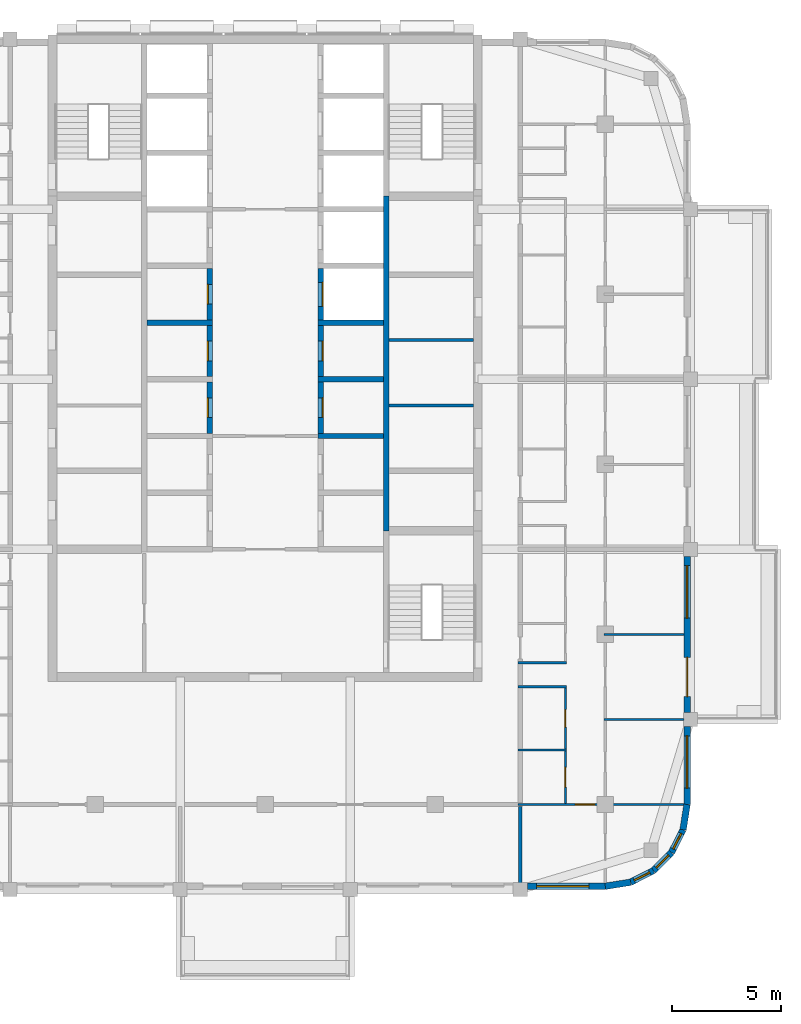
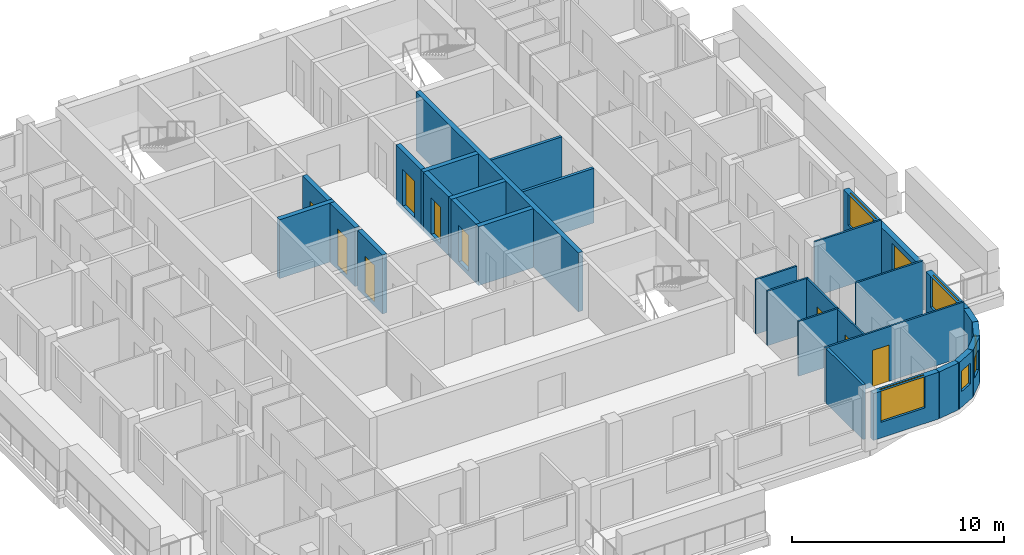
# One storey, part 5 of 13: 29 walls, 10 doors, 6 windows, 16 openings.
"""IFC4 building model written with IfcOpenShell, lengths in metres."""

from ifc_helpers import new_model, si_unit, direction, frame, frame_2d, origin, place, context, subcontext, project, spatial, rectangle, extrude, material, layer, layer_set, type_object, element, fill, save


model = new_model("IFC4")

# Units and contexts
model_context = context("Model", 3, precision=1e-05, world=origin(), true_north=direction((0.0, 1.0)))
body_context = subcontext(model_context, "Body", "Model", "MODEL_VIEW")
ifc_project = project(units=[si_unit("LENGTHUNIT", "METRE"), si_unit("AREAUNIT", "SQUARE_METRE"), si_unit("VOLUMEUNIT", "CUBIC_METRE"), si_unit("PLANEANGLEUNIT", "RADIAN"), si_unit("MASSUNIT", "GRAM", prefix="KILO")], contexts=[model_context])

# Site, building, storey
site_placement = place(None, origin())
site = spatial("IfcSite", under=ifc_project, at=site_placement, CompositionType="ELEMENT")
building_placement = place(site_placement, origin())
building = spatial("IfcBuilding", under=site, at=building_placement, Name="Ludao Terraces", CompositionType="ELEMENT")
storey_placement = place(building_placement, frame((0.0, 0.0, 252.800048828125)))
storey = spatial("IfcBuildingStorey", under=building, at=storey_placement, Name="L69", CompositionType="ELEMENT", Elevation=252.800048828125)

# Wall, opening, window
ifc_material_1 = material(Name="Granite cladding", Category="masonry")
ifc_layer_1 = layer(ifc_material_1, 0.0400390625, Category="stone")
ifc_material_2 = material(Name="Mineral wool")
ifc_layer_2 = layer(ifc_material_2, 0.06005859375)
ifc_material_3 = material(Name="Concrete C40", Category="concrete")
ifc_layer_3 = layer(ifc_material_3, 0.199951171875, Category="concrete")
ifc_layer_set_1 = layer_set([ifc_layer_1, ifc_layer_2, ifc_layer_3], Name="ENV Stone-clad wall 300")
wall_type_1 = type_object("IfcWallType", Name="ENV Stone-clad wall 300", PredefinedType="SOLIDWALL", material=ifc_layer_set_1)
wall_1_placement = place(storey_placement, frame((97.02490234375, 45.64990234375, 0.0), z_axis=(0.0, 0.0, 1.0), x_axis=(1.0, 0.0, 0.0)))
wall_1 = element("IfcWall", 1, at=wall_1_placement, inside=storey, type_object=wall_type_1, Name="EW-L69-S5", PredefinedType="SOLIDWALL", context=body_context, shape_type="SweptSolid", body=[
    extrude(rectangle(XDim=3.5751953125, YDim=0.300048828125, at=frame_2d((1.78759765625, 0.0))), origin(), (0.0, 0.0, 1.0), 2.699951171875),
])
opening_1_placement = place(wall_1_placement, frame((0.425048828125, 0.0, 0.89990234375)))
opening_1 = element("IfcOpeningElement", 2, at=opening_1_placement, cuts=wall_1, Name="Opening W1", PredefinedType="OPENING", context=body_context, shape_type="SweptSolid", body=[
    extrude(rectangle(XDim=2.39990234375, YDim=1.800048828125, at=frame_2d((1.199951171875, 0.89990234375))), frame((0.0, 0.16015625, 0.0), z_axis=(0.0, -1.0, 0.0), x_axis=(1.0, 0.0, 0.0)), (0.0, 0.0, 1.0), 0.320068359375),
])
ifc_material_4 = material(Name="Clear glass in aluminium frame", Category="aluminium")
ifc_layer_4 = layer(ifc_material_4, 0.06005859375)
ifc_layer_set_2 = layer_set([ifc_layer_4], Name="ENV Window W1 2400x1800")
window_type_1 = type_object("IfcWindowType", Name="ENV Window W1 2400x1800", PartitioningType="DOUBLE_PANEL_VERTICAL", PredefinedType="WINDOW", material=ifc_layer_set_2)
window_1_placement = place(opening_1_placement, origin())
window_1 = element("IfcWindow", 3, at=window_1_placement, inside=storey, type_object=window_type_1, Name="W-L69-S5-1", OverallHeight=1.800048828125, OverallWidth=2.39990234375, PartitioningType="DOUBLE_PANEL_VERTICAL", PredefinedType="WINDOW", context=body_context, shape_type="SweptSolid", body=[
    extrude(rectangle(XDim=2.39990234375, YDim=1.800048828125, at=frame_2d((1.199951171875, 0.89990234375))), frame((0.0, 0.030029296875, 0.0), z_axis=(0.0, -1.0, 0.0), x_axis=(1.0, 0.0, 0.0)), (0.0, 0.0, 1.0), 0.06005859375),
])
fill(opening_1, window_1)

wall_2_placement = place(storey_placement, frame((104.35009765625, 49.39990234375, 0.0), z_axis=(0.0, 0.0, 1.0), x_axis=(0.0, 1.0, 0.0)))
wall_2 = element("IfcWall", 4, at=wall_2_placement, inside=storey, type_object=wall_type_1, Name="EW-L69-E1", PredefinedType="SOLIDWALL", context=body_context, shape_type="SweptSolid", body=[
    extrude(rectangle(XDim=3.5751953125, YDim=0.300048828125, at=frame_2d((1.78759765625, 0.0))), origin(), (0.0, 0.0, 1.0), 2.699951171875),
])
opening_2_placement = place(wall_2_placement, frame((0.75, 0.0, 0.89990234375)))
opening_2 = element("IfcOpeningElement", 5, at=opening_2_placement, cuts=wall_2, Name="Opening W1", PredefinedType="OPENING", context=body_context, shape_type="SweptSolid", body=[
    extrude(rectangle(XDim=2.39990234375, YDim=1.800048828125, at=frame_2d((1.199951171875, 0.89990234375))), frame((0.0, 0.16015625, 0.0), z_axis=(0.0, -1.0, 0.0), x_axis=(1.0, 0.0, 0.0)), (0.0, 0.0, 1.0), 0.320068359375),
])
window_2_placement = place(opening_2_placement, origin())
window_2 = element("IfcWindow", 6, at=window_2_placement, inside=storey, type_object=window_type_1, Name="W-L69-E1-1", OverallHeight=1.800048828125, OverallWidth=2.39990234375, PartitioningType="DOUBLE_PANEL_VERTICAL", PredefinedType="WINDOW", context=body_context, shape_type="SweptSolid", body=[
    extrude(rectangle(XDim=2.39990234375, YDim=1.800048828125, at=frame_2d((1.199951171875, 0.89990234375))), frame((0.0, 0.030029296875, 0.0), z_axis=(0.0, -1.0, 0.0), x_axis=(1.0, 0.0, 0.0)), (0.0, 0.0, 1.0), 0.06005859375),
])
fill(opening_2, window_2)

# Wall, openings, door, window
wall_3_placement = place(storey_placement, frame((104.35009765625, 53.625, 0.0), z_axis=(0.0, 0.0, 1.0), x_axis=(0.0, 1.0, 0.0)))
wall_3 = element("IfcWall", 7, at=wall_3_placement, inside=storey, type_object=wall_type_1, Name="EW-L69-E2", PredefinedType="SOLIDWALL", context=body_context, shape_type="SweptSolid", body=[
    extrude(rectangle(XDim=7.14990234375, YDim=0.300048828125, at=frame_2d((3.574951171875, 0.0))), origin(), (0.0, 0.0, 1.0), 2.699951171875),
])
opening_3_placement = place(wall_3_placement, frame((0.72509765625, 0.0, 0.0)))
opening_3 = element("IfcOpeningElement", 8, at=opening_3_placement, cuts=wall_3, Name="Opening BD", PredefinedType="OPENING", context=body_context, shape_type="SweptSolid", body=[
    extrude(rectangle(XDim=1.800048828125, YDim=2.39990234375, at=frame_2d((0.89990234375, 1.199951171875))), frame((0.0, 0.16015625, 0.0), z_axis=(0.0, -1.0, 0.0), x_axis=(1.0, 0.0, 0.0)), (0.0, 0.0, 1.0), 0.320068359375),
])
opening_4_placement = place(wall_3_placement, frame((4.324951171875, 0.0, 0.89990234375)))
opening_4 = element("IfcOpeningElement", 9, at=opening_4_placement, cuts=wall_3, Name="Opening W1", PredefinedType="OPENING", context=body_context, shape_type="SweptSolid", body=[
    extrude(rectangle(XDim=2.39990234375, YDim=1.800048828125, at=frame_2d((1.199951171875, 0.89990234375))), frame((0.0, 0.16015625, 0.0), z_axis=(0.0, -1.0, 0.0), x_axis=(1.0, 0.0, 0.0)), (0.0, 0.0, 1.0), 0.320068359375),
])
ifc_material_5 = material(Name="Aluminium glazed door", Category="aluminium")
ifc_layer_5 = layer(ifc_material_5, 0.06005859375)
ifc_layer_set_3 = layer_set([ifc_layer_5], Name="ENV Balcony door BD 1800x2400")
door_type_1 = type_object("IfcDoorType", Name="ENV Balcony door BD 1800x2400", OperationType="DOUBLE_DOOR_SINGLE_SWING", PredefinedType="DOOR", material=ifc_layer_set_3)
door_1_placement = place(opening_3_placement, origin())
door_1 = element("IfcDoor", 10, at=door_1_placement, inside=storey, type_object=door_type_1, Name="BD-L69-E2-1", OperationType="DOUBLE_DOOR_SINGLE_SWING", OverallHeight=2.39990234375, OverallWidth=1.800048828125, PredefinedType="DOOR", context=body_context, shape_type="SweptSolid", body=[
    extrude(rectangle(XDim=1.800048828125, YDim=2.39990234375, at=frame_2d((0.89990234375, 1.199951171875))), frame((0.0, 0.02490234375, 0.0), z_axis=(0.0, -1.0, 0.0), x_axis=(1.0, 0.0, 0.0)), (0.0, 0.0, 1.0), 0.050048828125),
])
fill(opening_3, door_1)
window_3_placement = place(opening_4_placement, origin())
window_3 = element("IfcWindow", 11, at=window_3_placement, inside=storey, type_object=window_type_1, Name="W-L69-E2-2", OverallHeight=1.800048828125, OverallWidth=2.39990234375, PartitioningType="DOUBLE_PANEL_VERTICAL", PredefinedType="WINDOW", context=body_context, shape_type="SweptSolid", body=[
    extrude(rectangle(XDim=2.39990234375, YDim=1.800048828125, at=frame_2d((1.199951171875, 0.89990234375))), frame((0.0, 0.030029296875, 0.0), z_axis=(0.0, -1.0, 0.0), x_axis=(1.0, 0.0, 0.0)), (0.0, 0.0, 1.0), 0.06005859375),
])
fill(opening_4, window_3)

# Wall
wall_4_placement = place(storey_placement, frame((100.60009765625, 45.64990234375, 0.0), z_axis=(0.0, 0.0, 1.0), x_axis=(0.987678452879, 0.156496880861, 0.0)))
element("IfcWall", 12, at=wall_4_placement, inside=storey, type_object=wall_type_1, Name="EW-L69-SE1", PredefinedType="SOLIDWALL", context=body_context, shape_type="SweptSolid", body=[
    extrude(rectangle(XDim=1.173095703125, YDim=0.300048828125, at=frame_2d((0.58642578125, 0.0))), origin(), (0.0, 0.0, 1.0), 2.699951171875),
])

# Wall, opening, window
wall_5_placement = place(storey_placement, frame((101.7587890625, 45.83349609375, 0.0), z_axis=(0.0, 0.0, 1.0), x_axis=(0.890988677504, 0.454025524128, 0.0)))
wall_5 = element("IfcWall", 13, at=wall_5_placement, inside=storey, type_object=wall_type_1, Name="EW-L69-SE2", PredefinedType="SOLIDWALL", context=body_context, shape_type="SweptSolid", body=[
    extrude(rectangle(XDim=1.17333984375, YDim=0.300048828125, at=frame_2d((0.586669921875, 0.0))), origin(), (0.0, 0.0, 1.0), 2.699951171875),
])
opening_5_placement = place(wall_5_placement, frame((0.1865234375, 0.0, 0.89990234375)))
opening_5 = element("IfcOpeningElement", 14, at=opening_5_placement, cuts=wall_5, Name="Opening W3", PredefinedType="OPENING", context=body_context, shape_type="SweptSolid", body=[
    extrude(rectangle(XDim=0.800048828125, YDim=1.199951171875, at=frame_2d((0.39990234375, 0.60009765625))), frame((0.0, 0.16015625, 0.0), z_axis=(0.0, -1.0, 0.0), x_axis=(1.0, 0.0, 0.0)), (0.0, 0.0, 1.0), 0.320068359375),
])
ifc_layer_6 = layer(ifc_material_4, 0.06005859375)
ifc_layer_set_4 = layer_set([ifc_layer_6], Name="ENV Window W3 800x1200")
window_type_2 = type_object("IfcWindowType", Name="ENV Window W3 800x1200", PartitioningType="SINGLE_PANEL", PredefinedType="WINDOW", material=ifc_layer_set_4)
window_4_placement = place(opening_5_placement, origin())
window_4 = element("IfcWindow", 15, at=window_4_placement, inside=storey, type_object=window_type_2, Name="W-L69-SE2", OverallHeight=1.199951171875, OverallWidth=0.800048828125, PartitioningType="SINGLE_PANEL", PredefinedType="WINDOW", context=body_context, shape_type="SweptSolid", body=[
    extrude(rectangle(XDim=0.800048828125, YDim=1.199951171875, at=frame_2d((0.39990234375, 0.60009765625))), frame((0.0, 0.030029296875, 0.0), z_axis=(0.0, -1.0, 0.0), x_axis=(1.0, 0.0, 0.0)), (0.0, 0.0, 1.0), 0.06005859375),
])
fill(opening_5, window_4)

wall_6_placement = place(storey_placement, frame((102.80419921875, 46.3662109375, 0.0), z_axis=(0.0, 0.0, 1.0), x_axis=(0.707106781187, 0.707106781187, 0.0)))
wall_6 = element("IfcWall", 16, at=wall_6_placement, inside=storey, type_object=wall_type_1, Name="EW-L69-SE3", PredefinedType="SOLIDWALL", context=body_context, shape_type="SweptSolid", body=[
    extrude(rectangle(XDim=1.173095703125, YDim=0.300048828125, at=frame_2d((0.58642578125, 0.0))), origin(), (0.0, 0.0, 1.0), 2.699951171875),
])
opening_6_placement = place(wall_6_placement, frame((0.1865234375, 0.0, 0.89990234375)))
opening_6 = element("IfcOpeningElement", 17, at=opening_6_placement, cuts=wall_6, Name="Opening W3", PredefinedType="OPENING", context=body_context, shape_type="SweptSolid", body=[
    extrude(rectangle(XDim=0.800048828125, YDim=1.199951171875, at=frame_2d((0.39990234375, 0.60009765625))), frame((0.0, 0.16015625, 0.0), z_axis=(0.0, -1.0, 0.0), x_axis=(1.0, 0.0, 0.0)), (0.0, 0.0, 1.0), 0.320068359375),
])
window_5_placement = place(opening_6_placement, origin())
window_5 = element("IfcWindow", 18, at=window_5_placement, inside=storey, type_object=window_type_2, Name="W-L69-SE3", OverallHeight=1.199951171875, OverallWidth=0.800048828125, PartitioningType="SINGLE_PANEL", PredefinedType="WINDOW", context=body_context, shape_type="SweptSolid", body=[
    extrude(rectangle(XDim=0.800048828125, YDim=1.199951171875, at=frame_2d((0.39990234375, 0.60009765625))), frame((0.0, 0.030029296875, 0.0), z_axis=(0.0, -1.0, 0.0), x_axis=(1.0, 0.0, 0.0)), (0.0, 0.0, 1.0), 0.06005859375),
])
fill(opening_6, window_5)

wall_7_placement = place(storey_placement, frame((103.6337890625, 47.19580078125, 0.0), z_axis=(0.0, 0.0, 1.0), x_axis=(0.454025524128, 0.890988677504, 0.0)))
wall_7 = element("IfcWall", 19, at=wall_7_placement, inside=storey, type_object=wall_type_1, Name="EW-L69-SE4", PredefinedType="SOLIDWALL", context=body_context, shape_type="SweptSolid", body=[
    extrude(rectangle(XDim=1.17333984375, YDim=0.300048828125, at=frame_2d((0.586669921875, 0.0))), origin(), (0.0, 0.0, 1.0), 2.699951171875),
])
opening_7_placement = place(wall_7_placement, frame((0.1865234375, 0.0, 0.89990234375)))
opening_7 = element("IfcOpeningElement", 20, at=opening_7_placement, cuts=wall_7, Name="Opening W3", PredefinedType="OPENING", context=body_context, shape_type="SweptSolid", body=[
    extrude(rectangle(XDim=0.800048828125, YDim=1.199951171875, at=frame_2d((0.39990234375, 0.60009765625))), frame((0.0, 0.16015625, 0.0), z_axis=(0.0, -1.0, 0.0), x_axis=(1.0, 0.0, 0.0)), (0.0, 0.0, 1.0), 0.320068359375),
])
window_6_placement = place(opening_7_placement, origin())
window_6 = element("IfcWindow", 21, at=window_6_placement, inside=storey, type_object=window_type_2, Name="W-L69-SE4", OverallHeight=1.199951171875, OverallWidth=0.800048828125, PartitioningType="SINGLE_PANEL", PredefinedType="WINDOW", context=body_context, shape_type="SweptSolid", body=[
    extrude(rectangle(XDim=0.800048828125, YDim=1.199951171875, at=frame_2d((0.39990234375, 0.60009765625))), frame((0.0, 0.030029296875, 0.0), z_axis=(0.0, -1.0, 0.0), x_axis=(1.0, 0.0, 0.0)), (0.0, 0.0, 1.0), 0.06005859375),
])
fill(opening_7, window_6)

# Walls
wall_8_placement = place(storey_placement, frame((104.16650390625, 48.2412109375, 0.0), z_axis=(0.0, 0.0, 1.0), x_axis=(0.156496880861, 0.987678452879, 0.0)))
element("IfcWall", 22, at=wall_8_placement, inside=storey, type_object=wall_type_1, Name="EW-L69-SE5", PredefinedType="SOLIDWALL", context=body_context, shape_type="SweptSolid", body=[
    extrude(rectangle(XDim=1.173095703125, YDim=0.300048828125, at=frame_2d((0.58642578125, 0.0))), origin(), (0.0, 0.0, 1.0), 2.699951171875),
])
ifc_material_6 = material(Name="Fire-rated gypsum plasterboard", Category="gypsum")
ifc_layer_7 = layer(ifc_material_6, 0.012451171875, Category="gypsum")
ifc_layer_8 = layer(ifc_material_2, 0.10009765625, Name="insulation")
ifc_material_7 = material(Name="Steel Q235", Category="steel")
ifc_layer_9 = layer(ifc_material_7, 0.02490234375, Name="stud")
ifc_layer_10 = layer(ifc_material_6, 0.012451171875, Category="gypsum")
ifc_layer_set_5 = layer_set([ifc_layer_7, ifc_layer_8, ifc_layer_9, ifc_layer_10], Name="INT Core partition 150")
wall_type_2 = type_object("IfcWallType", Name="INT Core partition 150", PredefinedType="PARTITIONING", material=ifc_layer_set_5)
for number, where, z_axis, x_axis, name in (
    (23, (90.675048828125, 67.699951171875, 0.0), (0.0, 0.0, 1.0), (1.0, 0.0, 0.0), "PW-L69-PW028"),
    (24, (90.675048828125, 70.699951171875, 0.0), (0.0, 0.0, 1.0), (1.0, 0.0, 0.0), "PW-L69-PW032"),
):
    element("IfcWall", number, at=place(storey_placement, frame(where, z_axis=z_axis, x_axis=x_axis)), inside=storey, type_object=wall_type_2, Name=name, PredefinedType="PARTITIONING", context=body_context, shape_type="SweptSolid", body=[
        extrude(rectangle(XDim=3.875, YDim=0.14990234375, at=frame_2d((1.9375, 0.0))), origin(), (0.0, 0.0, 1.0), 3.14990234375),
    ])

# Wall, opening, door
ifc_material_8 = material(Name="Gypsum plasterboard", Category="gypsum")
ifc_layer_11 = layer(ifc_material_8, 0.012451171875, Category="gypsum")
ifc_layer_12 = layer(ifc_material_2, 0.06005859375, Name="insulation")
ifc_layer_13 = layer(ifc_material_7, 0.014892578125, Name="stud")
ifc_layer_14 = layer(ifc_material_8, 0.012451171875, Category="gypsum")
ifc_layer_set_6 = layer_set([ifc_layer_11, ifc_layer_12, ifc_layer_13, ifc_layer_14], Name="INT Partition 100")
wall_type_3 = type_object("IfcWallType", Name="INT Partition 100", PredefinedType="PARTITIONING", material=ifc_layer_set_6)
wall_9_placement = place(storey_placement, frame((96.60009765625, 49.39990234375, 0.0), z_axis=(0.0, 0.0, 1.0), x_axis=(1.0, 0.0, 0.0)))
wall_9 = element("IfcWall", 25, at=wall_9_placement, inside=storey, type_object=wall_type_3, Name="PW-L69-PW002", PredefinedType="PARTITIONING", context=body_context, shape_type="SweptSolid", body=[
    extrude(rectangle(XDim=7.60009765625, YDim=0.10009765625, at=frame_2d((3.800048828125, 0.0))), origin(), (0.0, 0.0, 1.0), 3.14990234375),
])
opening_8_placement = place(wall_9_placement, frame((2.610107421875, 0.0, 0.0)))
opening_8 = element("IfcOpeningElement", 26, at=opening_8_placement, cuts=wall_9, Name="Opening R25-006", PredefinedType="OPENING", context=body_context, shape_type="SweptSolid", body=[
    extrude(rectangle(XDim=0.89990234375, YDim=2.10009765625, at=frame_2d((0.449951171875, 1.050048828125))), frame((0.0, 0.06005859375, 0.0), z_axis=(0.0, -1.0, 0.0), x_axis=(1.0, 0.0, 0.0)), (0.0, 0.0, 1.0), 0.1201171875),
])
ifc_material_9 = material(Name="Timber door leaf", Category="wood")
door_type_2 = type_object("IfcDoorType", Name="INT Room door 900", OperationType="SINGLE_SWING_LEFT", PredefinedType="DOOR", material=ifc_material_9)
door_2_placement = place(opening_8_placement, origin())
door_2 = element("IfcDoor", 27, at=door_2_placement, inside=storey, type_object=door_type_2, Name="DOOR 006", OperationType="SINGLE_SWING_LEFT", OverallHeight=2.10009765625, OverallWidth=0.89990234375, PredefinedType="DOOR", context=body_context, shape_type="SweptSolid", body=[
    extrude(rectangle(XDim=0.89990234375, YDim=2.10009765625, at=frame_2d((0.449951171875, 1.050048828125))), frame((0.0, 0.02490234375, 0.0), z_axis=(0.0, -1.0, 0.0), x_axis=(1.0, 0.0, 0.0)), (0.0, 0.0, 1.0), 0.050048828125),
])
fill(opening_8, door_2)

# Walls
wall_10_placement = place(storey_placement, frame((96.60009765625, 51.89990234375, 0.0), z_axis=(0.0, 0.0, 1.0), x_axis=(1.0, 0.0, 0.0)))
element("IfcWall", 28, at=wall_10_placement, inside=storey, type_object=wall_type_3, Name="PW-L69-PW004", PredefinedType="PARTITIONING", context=body_context, shape_type="SweptSolid", body=[
    extrude(rectangle(XDim=2.219970703125, YDim=0.10009765625, at=frame_2d((1.10986328125, 0.0))), origin(), (0.0, 0.0, 1.0), 3.14990234375),
])
wall_11_placement = place(storey_placement, frame((100.550048828125, 53.300048828125, 0.0), z_axis=(0.0, 0.0, 1.0), x_axis=(1.0, 0.0, 0.0)))
element("IfcWall", 29, at=wall_11_placement, inside=storey, type_object=wall_type_3, Name="PW-L69-PW006", PredefinedType="PARTITIONING", context=body_context, shape_type="SweptSolid", body=[
    extrude(rectangle(XDim=3.650146484375, YDim=0.10009765625, at=frame_2d((1.8251953125, 0.0))), origin(), (0.0, 0.0, 1.0), 3.14990234375),
])
for number, where, z_axis, x_axis, name in (
    (30, (96.60009765625, 54.800048828125, 0.0), (0.0, 0.0, 1.0), (1.0, 0.0, 0.0), "PW-L69-PW008"),
    (31, (96.60009765625, 55.89990234375, 0.0), (0.0, 0.0, 1.0), (1.0, 0.0, 0.0), "PW-L69-PW009"),
):
    element("IfcWall", number, at=place(storey_placement, frame(where, z_axis=z_axis, x_axis=x_axis)), inside=storey, type_object=wall_type_3, Name=name, PredefinedType="PARTITIONING", context=body_context, shape_type="SweptSolid", body=[
        extrude(rectangle(XDim=2.219970703125, YDim=0.10009765625, at=frame_2d((1.10986328125, 0.0))), origin(), (0.0, 0.0, 1.0), 3.14990234375),
    ])
wall_12_placement = place(storey_placement, frame((100.550048828125, 57.199951171875, 0.0), z_axis=(0.0, 0.0, 1.0), x_axis=(1.0, 0.0, 0.0)))
element("IfcWall", 32, at=wall_12_placement, inside=storey, type_object=wall_type_3, Name="PW-L69-PW012", PredefinedType="PARTITIONING", context=body_context, shape_type="SweptSolid", body=[
    extrude(rectangle(XDim=3.650146484375, YDim=0.10009765625, at=frame_2d((1.8251953125, 0.0))), origin(), (0.0, 0.0, 1.0), 3.14990234375),
])

# Wall, openings, doors
wall_13_placement = place(storey_placement, frame((98.77001953125, 49.4501953125, 0.0), z_axis=(0.0, 0.0, 1.0), x_axis=(0.0, 1.0, 0.0)))
wall_13 = element("IfcWall", 33, at=wall_13_placement, inside=storey, type_object=wall_type_3, Name="PW-L69-PW061", PredefinedType="PARTITIONING", context=body_context, shape_type="SweptSolid", body=[
    extrude(rectangle(XDim=5.2998046875, YDim=0.10009765625, at=frame_2d((2.64990234375, 0.0))), origin(), (0.0, 0.0, 1.0), 3.14990234375),
])
opening_9_placement = place(wall_13_placement, frame((0.75, 0.0, 0.0)))
opening_9 = element("IfcOpeningElement", 34, at=opening_9_placement, cuts=wall_13, Name="Opening R25-008", PredefinedType="OPENING", context=body_context, shape_type="SweptSolid", body=[
    extrude(rectangle(XDim=0.89990234375, YDim=2.10009765625, at=frame_2d((0.449951171875, 1.050048828125))), frame((0.0, 0.06005859375, 0.0), z_axis=(0.0, -1.0, 0.0), x_axis=(1.0, 0.0, 0.0)), (0.0, 0.0, 1.0), 0.1201171875),
])
opening_10_placement = place(wall_13_placement, frame((3.5, 0.0, 0.0)))
opening_10 = element("IfcOpeningElement", 35, at=opening_10_placement, cuts=wall_13, Name="Opening R25-012", PredefinedType="OPENING", context=body_context, shape_type="SweptSolid", body=[
    extrude(rectangle(XDim=0.800048828125, YDim=2.10009765625, at=frame_2d((0.39990234375, 1.050048828125))), frame((0.0, 0.06005859375, 0.0), z_axis=(0.0, -1.0, 0.0), x_axis=(1.0, 0.0, 0.0)), (0.0, 0.0, 1.0), 0.1201171875),
])
door_type_3 = type_object("IfcDoorType", Name="INT Bathroom door 900", OperationType="SINGLE_SWING_LEFT", PredefinedType="DOOR", material=ifc_material_9)
door_3_placement = place(opening_9_placement, origin())
door_3 = element("IfcDoor", 36, at=door_3_placement, inside=storey, type_object=door_type_3, Name="DOOR 008", OperationType="SINGLE_SWING_LEFT", OverallHeight=2.10009765625, OverallWidth=0.89990234375, PredefinedType="DOOR", context=body_context, shape_type="SweptSolid", body=[
    extrude(rectangle(XDim=0.89990234375, YDim=2.10009765625, at=frame_2d((0.449951171875, 1.050048828125))), frame((0.0, 0.02490234375, 0.0), z_axis=(0.0, -1.0, 0.0), x_axis=(1.0, 0.0, 0.0)), (0.0, 0.0, 1.0), 0.050048828125),
])
fill(opening_9, door_3)
door_type_4 = type_object("IfcDoorType", Name="INT Store door 800", OperationType="SINGLE_SWING_LEFT", PredefinedType="DOOR", material=ifc_material_9)
door_4_placement = place(opening_10_placement, origin())
door_4 = element("IfcDoor", 37, at=door_4_placement, inside=storey, type_object=door_type_4, Name="DOOR 012", OperationType="SINGLE_SWING_RIGHT", OverallHeight=2.10009765625, OverallWidth=0.800048828125, PredefinedType="DOOR", context=body_context, shape_type="SweptSolid", body=[
    extrude(rectangle(XDim=0.800048828125, YDim=2.10009765625, at=frame_2d((0.39990234375, 1.050048828125))), frame((0.0, 0.02490234375, 0.0), z_axis=(0.0, -1.0, 0.0), x_axis=(1.0, 0.0, 0.0)), (0.0, 0.0, 1.0), 0.050048828125),
])
fill(opening_10, door_4)

# Walls
ifc_material_10 = material(Name="Autoclaved aerated concrete block B06 A3.5", Category="concrete")
ifc_layer_15 = layer(ifc_material_10, 0.14990234375)
ifc_layer_set_7 = layer_set([ifc_layer_15], Name="INT Party wall 150")
wall_type_4 = type_object("IfcWallType", Name="INT Party wall 150", PredefinedType="PARTITIONING", material=ifc_layer_set_7)
wall_14_placement = place(storey_placement, frame((96.699951171875, 45.800048828125, 0.0), z_axis=(0.0, 0.0, 1.0), x_axis=(0.0, 1.0, 0.0)))
element("IfcWall", 38, at=wall_14_placement, inside=storey, type_object=wall_type_4, Name="PW-L69-PW059", PredefinedType="PARTITIONING", context=body_context, shape_type="SweptSolid", body=[
    extrude(rectangle(XDim=3.5, YDim=0.14990234375, at=frame_2d((1.75, 0.0))), origin(), (0.0, 0.0, 1.0), 3.14990234375),
])
ifc_material_11 = material(Name="Concrete C50", Category="concrete")
ifc_layer_16 = layer(ifc_material_11, 0.25)
ifc_layer_set_8 = layer_set([ifc_layer_16], Name="Shaft wall 250 C50")
wall_type_5 = type_object("IfcWallType", Name="Shaft wall 250 C50", PredefinedType="SOLIDWALL", material=ifc_layer_set_8)
wall_15_placement = place(storey_placement, frame((90.550048828125, 61.949951171875, -0.25), z_axis=(0.0, 0.0, 1.0), x_axis=(0.0, 1.0, 0.0)))
element("IfcWall", 39, at=wall_15_placement, inside=storey, type_object=wall_type_5, Name="Core wall L69 back-E", PredefinedType="SOLIDWALL", context=body_context, shape_type="SweptSolid", body=[
    extrude(rectangle(XDim=15.35009765625, YDim=0.25, at=frame_2d((7.675048828125, 0.0))), origin(), (0.0, 0.0, 1.0), 3.39990234375),
])

# Wall, opening, door
wall_16_placement = place(storey_placement, frame((82.449951171875, 66.425048828125, -0.25), z_axis=(0.0, 0.0, 1.0), x_axis=(0.0, 1.0, 0.0)))
wall_16 = element("IfcWall", 40, at=wall_16_placement, inside=storey, type_object=wall_type_5, Name="Core wall L69 front-W3", PredefinedType="SOLIDWALL", context=body_context, shape_type="SweptSolid", body=[
    extrude(rectangle(XDim=2.349853515625, YDim=0.25, at=frame_2d((1.1748046875, 0.0))), origin(), (0.0, 0.0, 1.0), 3.39990234375),
])
opening_11_placement = place(wall_16_placement, frame((0.72509765625, 0.0, 0.25)))
opening_11 = element("IfcOpeningElement", 41, at=opening_11_placement, cuts=wall_16, Name="Opening R25-048", PredefinedType="OPENING", context=body_context, shape_type="SweptSolid", body=[
    extrude(rectangle(XDim=0.89990234375, YDim=2.10009765625, at=frame_2d((0.449951171875, 1.050048828125))), frame((0.0, 0.135009765625, 0.0), z_axis=(0.0, -1.0, 0.0), x_axis=(1.0, 0.0, 0.0)), (0.0, 0.0, 1.0), 0.27001953125),
])
door_5_placement = place(opening_11_placement, origin())
door_5 = element("IfcDoor", 42, at=door_5_placement, inside=storey, type_object=door_type_2, Name="DOOR 048", OperationType="SINGLE_SWING_LEFT", OverallHeight=2.10009765625, OverallWidth=0.89990234375, PredefinedType="DOOR", context=body_context, shape_type="SweptSolid", body=[
    extrude(rectangle(XDim=0.89990234375, YDim=2.10009765625, at=frame_2d((0.449951171875, 1.050048828125))), frame((0.0, 0.10986328125, 0.0), z_axis=(0.0, -1.0, 0.0), x_axis=(1.0, 0.0, 0.0)), (0.0, 0.0, 1.0), 0.050048828125),
])
fill(opening_11, door_5)

wall_17_placement = place(storey_placement, frame((82.449951171875, 69.02490234375, -0.25), z_axis=(0.0, 0.0, 1.0), x_axis=(0.0, 1.0, 0.0)))
wall_17 = element("IfcWall", 43, at=wall_17_placement, inside=storey, type_object=wall_type_5, Name="Core wall L69 front-W4", PredefinedType="SOLIDWALL", context=body_context, shape_type="SweptSolid", body=[
    extrude(rectangle(XDim=2.35009765625, YDim=0.25, at=frame_2d((1.175048828125, 0.0))), origin(), (0.0, 0.0, 1.0), 3.39990234375),
])
opening_12_placement = place(wall_17_placement, frame((0.72509765625, 0.0, 0.25)))
opening_12 = element("IfcOpeningElement", 44, at=opening_12_placement, cuts=wall_17, Name="Opening R25-053", PredefinedType="OPENING", context=body_context, shape_type="SweptSolid", body=[
    extrude(rectangle(XDim=0.89990234375, YDim=2.10009765625, at=frame_2d((0.449951171875, 1.050048828125))), frame((0.0, 0.135009765625, 0.0), z_axis=(0.0, -1.0, 0.0), x_axis=(1.0, 0.0, 0.0)), (0.0, 0.0, 1.0), 0.27001953125),
])
door_6_placement = place(opening_12_placement, origin())
door_6 = element("IfcDoor", 45, at=door_6_placement, inside=storey, type_object=door_type_2, Name="DOOR 053", OperationType="SINGLE_SWING_RIGHT", OverallHeight=2.10009765625, OverallWidth=0.89990234375, PredefinedType="DOOR", context=body_context, shape_type="SweptSolid", body=[
    extrude(rectangle(XDim=0.89990234375, YDim=2.10009765625, at=frame_2d((0.449951171875, 1.050048828125))), frame((0.0, 0.10986328125, 0.0), z_axis=(0.0, -1.0, 0.0), x_axis=(1.0, 0.0, 0.0)), (0.0, 0.0, 1.0), 0.050048828125),
])
fill(opening_12, door_6)

# Wall
wall_18_placement = place(storey_placement, frame((79.574951171875, 71.5, -0.25), z_axis=(0.0, 0.0, 1.0), x_axis=(1.0, 0.0, 0.0)))
element("IfcWall", 46, at=wall_18_placement, inside=storey, type_object=wall_type_5, Name="Core wall L69 div-W5", PredefinedType="SOLIDWALL", context=body_context, shape_type="SweptSolid", body=[
    extrude(rectangle(XDim=3.0, YDim=0.25, at=frame_2d((1.5, 0.0))), origin(), (0.0, 0.0, 1.0), 3.39990234375),
])

# Wall, opening, door
wall_19_placement = place(storey_placement, frame((82.449951171875, 71.625, -0.25), z_axis=(0.0, 0.0, 1.0), x_axis=(0.0, 1.0, 0.0)))
wall_19 = element("IfcWall", 47, at=wall_19_placement, inside=storey, type_object=wall_type_5, Name="Core wall L69 front-W5", PredefinedType="SOLIDWALL", context=body_context, shape_type="SweptSolid", body=[
    extrude(rectangle(XDim=2.35009765625, YDim=0.25, at=frame_2d((1.175048828125, 0.0))), origin(), (0.0, 0.0, 1.0), 3.39990234375),
])
opening_13_placement = place(wall_19_placement, frame((0.72509765625, 0.0, 0.25)))
opening_13 = element("IfcOpeningElement", 48, at=opening_13_placement, cuts=wall_19, Name="Opening R25-061", PredefinedType="OPENING", context=body_context, shape_type="SweptSolid", body=[
    extrude(rectangle(XDim=0.89990234375, YDim=2.10009765625, at=frame_2d((0.449951171875, 1.050048828125))), frame((0.0, 0.135009765625, 0.0), z_axis=(0.0, -1.0, 0.0), x_axis=(1.0, 0.0, 0.0)), (0.0, 0.0, 1.0), 0.27001953125),
])
door_7_placement = place(opening_13_placement, origin())
door_7 = element("IfcDoor", 49, at=door_7_placement, inside=storey, type_object=door_type_2, Name="DOOR 061", OperationType="SINGLE_SWING_LEFT", OverallHeight=2.10009765625, OverallWidth=0.89990234375, PredefinedType="DOOR", context=body_context, shape_type="SweptSolid", body=[
    extrude(rectangle(XDim=0.89990234375, YDim=2.10009765625, at=frame_2d((0.449951171875, 1.050048828125))), frame((0.0, 0.10986328125, 0.0), z_axis=(0.0, -1.0, 0.0), x_axis=(1.0, 0.0, 0.0)), (0.0, 0.0, 1.0), 0.050048828125),
])
fill(opening_13, door_7)

# Wall
wall_20_placement = place(storey_placement, frame((87.425048828125, 66.300048828125, -0.25), z_axis=(0.0, 0.0, 1.0), x_axis=(1.0, 0.0, 0.0)))
element("IfcWall", 50, at=wall_20_placement, inside=storey, type_object=wall_type_5, Name="Core wall L69 div-E3", PredefinedType="SOLIDWALL", context=body_context, shape_type="SweptSolid", body=[
    extrude(rectangle(XDim=3.0, YDim=0.25, at=frame_2d((1.5, 0.0))), origin(), (0.0, 0.0, 1.0), 3.39990234375),
])

# Wall, opening, door
wall_21_placement = place(storey_placement, frame((87.550048828125, 66.425048828125, -0.25), z_axis=(0.0, 0.0, 1.0), x_axis=(0.0, 1.0, 0.0)))
wall_21 = element("IfcWall", 51, at=wall_21_placement, inside=storey, type_object=wall_type_5, Name="Core wall L69 front-E3", PredefinedType="SOLIDWALL", context=body_context, shape_type="SweptSolid", body=[
    extrude(rectangle(XDim=2.349853515625, YDim=0.25, at=frame_2d((1.1748046875, 0.0))), origin(), (0.0, 0.0, 1.0), 3.39990234375),
])
opening_14_placement = place(wall_21_placement, frame((0.72509765625, 0.0, 0.25)))
opening_14 = element("IfcOpeningElement", 52, at=opening_14_placement, cuts=wall_21, Name="Opening R25-049", PredefinedType="OPENING", context=body_context, shape_type="SweptSolid", body=[
    extrude(rectangle(XDim=0.89990234375, YDim=2.10009765625, at=frame_2d((0.449951171875, 1.050048828125))), frame((0.0, 0.135009765625, 0.0), z_axis=(0.0, -1.0, 0.0), x_axis=(1.0, 0.0, 0.0)), (0.0, 0.0, 1.0), 0.27001953125),
])
door_8_placement = place(opening_14_placement, origin())
door_8 = element("IfcDoor", 53, at=door_8_placement, inside=storey, type_object=door_type_2, Name="DOOR 049", OperationType="SINGLE_SWING_RIGHT", OverallHeight=2.10009765625, OverallWidth=0.89990234375, PredefinedType="DOOR", context=body_context, shape_type="SweptSolid", body=[
    extrude(rectangle(XDim=0.89990234375, YDim=2.10009765625, at=frame_2d((0.449951171875, 1.050048828125))), frame((0.0, -0.06005859375, 0.0), z_axis=(0.0, -1.0, 0.0), x_axis=(1.0, 0.0, 0.0)), (0.0, 0.0, 1.0), 0.050048828125),
])
fill(opening_14, door_8)

# Wall
wall_22_placement = place(storey_placement, frame((87.425048828125, 68.89990234375, -0.25), z_axis=(0.0, 0.0, 1.0), x_axis=(1.0, 0.0, 0.0)))
element("IfcWall", 54, at=wall_22_placement, inside=storey, type_object=wall_type_5, Name="Core wall L69 div-E4", PredefinedType="SOLIDWALL", context=body_context, shape_type="SweptSolid", body=[
    extrude(rectangle(XDim=3.0, YDim=0.25, at=frame_2d((1.5, 0.0))), origin(), (0.0, 0.0, 1.0), 3.39990234375),
])

# Wall, opening, door
wall_23_placement = place(storey_placement, frame((87.550048828125, 69.02490234375, -0.25), z_axis=(0.0, 0.0, 1.0), x_axis=(0.0, 1.0, 0.0)))
wall_23 = element("IfcWall", 55, at=wall_23_placement, inside=storey, type_object=wall_type_5, Name="Core wall L69 front-E4", PredefinedType="SOLIDWALL", context=body_context, shape_type="SweptSolid", body=[
    extrude(rectangle(XDim=2.35009765625, YDim=0.25, at=frame_2d((1.175048828125, 0.0))), origin(), (0.0, 0.0, 1.0), 3.39990234375),
])
opening_15_placement = place(wall_23_placement, frame((0.72509765625, 0.0, 0.25)))
opening_15 = element("IfcOpeningElement", 56, at=opening_15_placement, cuts=wall_23, Name="Opening R25-054", PredefinedType="OPENING", context=body_context, shape_type="SweptSolid", body=[
    extrude(rectangle(XDim=0.89990234375, YDim=2.10009765625, at=frame_2d((0.449951171875, 1.050048828125))), frame((0.0, 0.135009765625, 0.0), z_axis=(0.0, -1.0, 0.0), x_axis=(1.0, 0.0, 0.0)), (0.0, 0.0, 1.0), 0.27001953125),
])
door_9_placement = place(opening_15_placement, origin())
door_9 = element("IfcDoor", 57, at=door_9_placement, inside=storey, type_object=door_type_2, Name="DOOR 054", OperationType="SINGLE_SWING_LEFT", OverallHeight=2.10009765625, OverallWidth=0.89990234375, PredefinedType="DOOR", context=body_context, shape_type="SweptSolid", body=[
    extrude(rectangle(XDim=0.89990234375, YDim=2.10009765625, at=frame_2d((0.449951171875, 1.050048828125))), frame((0.0, -0.06005859375, 0.0), z_axis=(0.0, -1.0, 0.0), x_axis=(1.0, 0.0, 0.0)), (0.0, 0.0, 1.0), 0.050048828125),
])
fill(opening_15, door_9)

# Wall
wall_24_placement = place(storey_placement, frame((87.425048828125, 71.5, -0.25), z_axis=(0.0, 0.0, 1.0), x_axis=(1.0, 0.0, 0.0)))
element("IfcWall", 58, at=wall_24_placement, inside=storey, type_object=wall_type_5, Name="Core wall L69 div-E5", PredefinedType="SOLIDWALL", context=body_context, shape_type="SweptSolid", body=[
    extrude(rectangle(XDim=3.0, YDim=0.25, at=frame_2d((1.5, 0.0))), origin(), (0.0, 0.0, 1.0), 3.39990234375),
])

# Wall, opening, door
wall_25_placement = place(storey_placement, frame((87.550048828125, 71.625, -0.25), z_axis=(0.0, 0.0, 1.0), x_axis=(0.0, 1.0, 0.0)))
wall_25 = element("IfcWall", 59, at=wall_25_placement, inside=storey, type_object=wall_type_5, Name="Core wall L69 front-E5", PredefinedType="SOLIDWALL", context=body_context, shape_type="SweptSolid", body=[
    extrude(rectangle(XDim=2.35009765625, YDim=0.25, at=frame_2d((1.175048828125, 0.0))), origin(), (0.0, 0.0, 1.0), 3.39990234375),
])
opening_16_placement = place(wall_25_placement, frame((0.625, 0.0, 0.25)))
opening_16 = element("IfcOpeningElement", 60, at=opening_16_placement, cuts=wall_25, Name="Opening LD-LB1", PredefinedType="OPENING", context=body_context, shape_type="SweptSolid", body=[
    extrude(rectangle(XDim=1.10009765625, YDim=2.10009765625, at=frame_2d((0.550048828125, 1.050048828125))), frame((0.0, 0.135009765625, 0.0), z_axis=(0.0, -1.0, 0.0), x_axis=(1.0, 0.0, 0.0)), (0.0, 0.0, 1.0), 0.27001953125),
])
ifc_material_12 = material(Name="Stainless steel 304", Category="steel")
door_type_5 = type_object("IfcDoorType", Name="INT Lift landing door 1100", OperationType="SLIDING_TO_LEFT", PredefinedType="DOOR", material=ifc_material_12)
door_10_placement = place(opening_16_placement, origin())
door_10 = element("IfcDoor", 61, at=door_10_placement, inside=storey, type_object=door_type_5, Name="LANDING DOOR LB1 L69", OperationType="SLIDING_TO_LEFT", OverallHeight=2.10009765625, OverallWidth=1.10009765625, PredefinedType="DOOR", context=body_context, shape_type="SweptSolid", body=[
    extrude(rectangle(XDim=1.10009765625, YDim=2.10009765625, at=frame_2d((0.550048828125, 1.050048828125))), frame((0.0, -0.06005859375, 0.0), z_axis=(0.0, -1.0, 0.0), x_axis=(1.0, 0.0, 0.0)), (0.0, 0.0, 1.0), 0.050048828125),
])
fill(opening_16, door_10)

save(model, "model.ifc")
